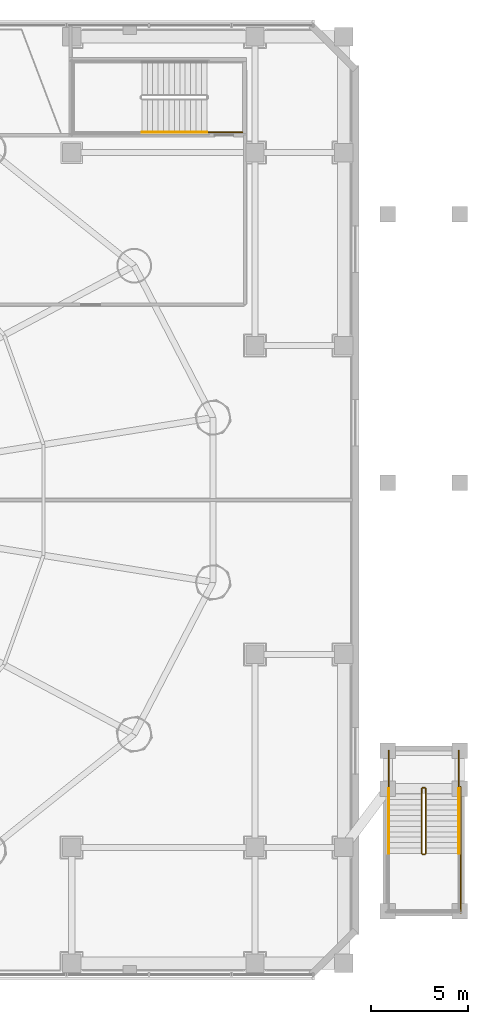
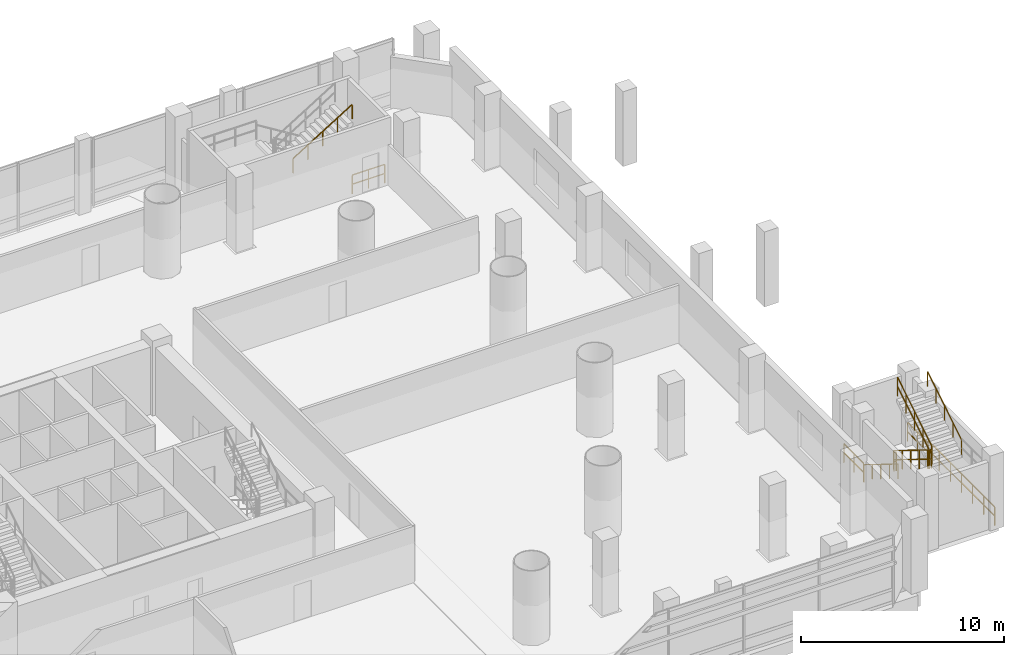
# One storey, part 35 of 36: 11 railings.
"""IFC4 building model written with IfcOpenShell, lengths in metres."""

from ifc_helpers import new_model, si_unit, direction, frame, origin, origin_2d, place, context, subcontext, project, spatial, rectangle, extrude, material, type_object, element, save


model = new_model("IFC4")

# Units and contexts
model_context = context("Model", 3, precision=1e-05, world=origin(), true_north=direction((-0.2419218956, 0.970295726276)))
body_context = subcontext(model_context, "Body", "Model", "MODEL_VIEW")
ifc_project = project(units=[si_unit("LENGTHUNIT", "METRE"), si_unit("AREAUNIT", "SQUARE_METRE"), si_unit("VOLUMEUNIT", "CUBIC_METRE"), si_unit("PLANEANGLEUNIT", "RADIAN"), si_unit("MASSUNIT", "GRAM", prefix="KILO")], contexts=[model_context])

# Site, building, storey
site_placement = place(None, origin())
site = spatial("IfcSite", under=ifc_project, at=site_placement, CompositionType="ELEMENT")
building_placement = place(site_placement, origin())
building = spatial("IfcBuilding", under=site, at=building_placement, Name="Cobrevalo Terracotta Tower", CompositionType="ELEMENT")
storey_placement = place(building_placement, frame((0.0, 0.0, 14.39990234375)))
storey = spatial("IfcBuildingStorey", under=building, at=storey_placement, Name="L03", CompositionType="ELEMENT", Elevation=14.39990234375)

# Railings
ifc_material_1 = material(Name="Brushed stainless steel", Category="steel")
railing_type_1 = type_object("IfcRailingType", Name="Stainless Steel Stair Handrail 900", PredefinedType="HANDRAIL", material=ifc_material_1)
railing_1_placement = place(storey_placement, frame((61.139892578125, 45.85009765625, 2.423095703125)))
element("IfcRailing", 1, at=railing_1_placement, inside=storey, type_object=railing_type_1, Name="L03 ST-P2 stair handrail 2", PredefinedType="HANDRAIL", context=body_context, shape_type="SweptSolid", body=[
    extrude(rectangle(XDim=0.048095703125, YDim=0.048095703125, at=origin_2d()), frame((0.0, 0.0, 0.8759765625), z_axis=(0.850623216509, 0.0, 0.525775754039), x_axis=(0.0, 1.0, 0.0)), (0.0, 0.0, 1.0), 3.9501953125),
    extrude(rectangle(XDim=0.0419921875, YDim=0.0419921875, at=origin_2d()), origin(), (0.0, 0.0, 1.0), 0.851806640625),
    extrude(rectangle(XDim=0.0419921875, YDim=0.0419921875, at=origin_2d()), frame((0.840087890625, 0.0, 0.519287109375)), (0.0, 0.0, 1.0), 0.851806640625),
    extrude(rectangle(XDim=0.0419921875, YDim=0.0419921875, at=origin_2d()), frame((1.68017578125, 0.0, 1.03857421875)), (0.0, 0.0, 1.0), 0.851806640625),
    extrude(rectangle(XDim=0.0419921875, YDim=0.0419921875, at=origin_2d()), frame((2.52001953125, 0.0, 1.5576171875)), (0.0, 0.0, 1.0), 0.851806640625),
    extrude(rectangle(XDim=0.0419921875, YDim=0.0419921875, at=origin_2d()), frame((3.360107421875, 0.0, 2.076904296875)), (0.0, 0.0, 1.0), 0.851806640625),
])
railing_2_placement = place(storey_placement, frame((73.929931640625, 11.85009765625, 0.173095703125)))
element("IfcRailing", 2, at=railing_2_placement, inside=storey, type_object=railing_type_1, Name="L03 ST-EXT-E stair handrail 1", PredefinedType="HANDRAIL", context=body_context, shape_type="SweptSolid", body=[
    extrude(rectangle(XDim=0.048095703125, YDim=0.048095703125, at=origin_2d()), frame((0.0, 0.0, 0.8759765625), z_axis=(0.0, -0.850623216509, 0.525775754039), x_axis=(1.0, 0.0, 0.0)), (0.0, 0.0, 1.0), 3.9501953125),
    extrude(rectangle(XDim=0.0419921875, YDim=0.0419921875, at=origin_2d()), origin(), (0.0, 0.0, 1.0), 0.851806640625),
    extrude(rectangle(XDim=0.0419921875, YDim=0.0419921875, at=origin_2d()), frame((0.0, -0.840087890625, 0.519287109375)), (0.0, 0.0, 1.0), 0.851806640625),
    extrude(rectangle(XDim=0.0419921875, YDim=0.0419921875, at=origin_2d()), frame((0.0, -1.68017578125, 1.03857421875)), (0.0, 0.0, 1.0), 0.851806640625),
    extrude(rectangle(XDim=0.0419921875, YDim=0.0419921875, at=origin_2d()), frame((0.0, -2.52001953125, 1.5576171875)), (0.0, 0.0, 1.0), 0.851806640625),
    extrude(rectangle(XDim=0.0419921875, YDim=0.0419921875, at=origin_2d()), frame((0.0, -3.360107421875, 2.076904296875)), (0.0, 0.0, 1.0), 0.851806640625),
])
railing_3_placement = place(storey_placement, frame((77.550048828125, 8.489990234375, 2.423095703125)))
element("IfcRailing", 3, at=railing_3_placement, inside=storey, type_object=railing_type_1, Name="L03 ST-EXT-E stair handrail 2", PredefinedType="HANDRAIL", context=body_context, shape_type="SweptSolid", body=[
    extrude(rectangle(XDim=0.048095703125, YDim=0.048095703125, at=origin_2d()), frame((0.0, 0.0, 0.8759765625), z_axis=(0.0, 0.850623216509, 0.525775754039), x_axis=(-1.0, 0.0, 0.0)), (0.0, 0.0, 1.0), 3.9501953125),
    extrude(rectangle(XDim=0.0419921875, YDim=0.0419921875, at=origin_2d()), origin(), (0.0, 0.0, 1.0), 0.851806640625),
    extrude(rectangle(XDim=0.0419921875, YDim=0.0419921875, at=origin_2d()), frame((0.0, 0.840087890625, 0.519287109375)), (0.0, 0.0, 1.0), 0.851806640625),
    extrude(rectangle(XDim=0.0419921875, YDim=0.0419921875, at=origin_2d()), frame((0.0, 1.68017578125, 1.03857421875)), (0.0, 0.0, 1.0), 0.851806640625),
    extrude(rectangle(XDim=0.0419921875, YDim=0.0419921875, at=origin_2d()), frame((0.0, 2.52001953125, 1.5576171875)), (0.0, 0.0, 1.0), 0.851806640625),
    extrude(rectangle(XDim=0.0419921875, YDim=0.0419921875, at=origin_2d()), frame((0.0, 3.360107421875, 2.076904296875)), (0.0, 0.0, 1.0), 0.851806640625),
])
ifc_material_2 = material(Name="Painted galvanized steel", Category="steel")
railing_type_2 = type_object("IfcRailingType", Name="Stair Well Guard Balustrade 1150", PredefinedType="GUARDRAIL", material=ifc_material_2)
railing_4_placement = place(storey_placement, frame((66.35009765625, 45.85009765625, 0.0)))
element("IfcRailing", 4, at=railing_4_placement, inside=storey, type_object=railing_type_2, Name="L03 ST-P2 stair guard 9", PredefinedType="GUARDRAIL", context=body_context, shape_type="SweptSolid", body=[
    extrude(rectangle(XDim=0.048095703125, YDim=0.048095703125, at=origin_2d()), frame((0.0, 0.0, 1.1259765625), z_axis=(-1.0, 0.0, 0.0), x_axis=(0.0, -1.0, 0.0)), (0.0, 0.0, 1.0), 1.85009765625),
    extrude(rectangle(XDim=0.048095703125, YDim=0.048095703125, at=origin_2d()), frame((0.0, 0.0, 0.574951171875), z_axis=(-1.0, 0.0, 0.0), x_axis=(0.0, -1.0, 0.0)), (0.0, 0.0, 1.0), 1.85009765625),
    extrude(rectangle(XDim=0.0419921875, YDim=0.0419921875, at=origin_2d()), origin(), (0.0, 0.0, 1.0), 1.101806640625),
    extrude(rectangle(XDim=0.0419921875, YDim=0.0419921875, at=origin_2d()), frame((-0.925048828125, 0.0, 0.0)), (0.0, 0.0, 1.0), 1.101806640625),
    extrude(rectangle(XDim=0.0419921875, YDim=0.0419921875, at=origin_2d()), frame((-1.85009765625, 0.0, 0.0)), (0.0, 0.0, 1.0), 1.101806640625),
])
railing_5_placement = place(storey_placement, frame((75.6298828125, 11.85009765625, 0.173095703125)))
element("IfcRailing", 5, at=railing_5_placement, inside=storey, type_object=railing_type_2, Name="L03 ST-EXT-E stair guard 1", PredefinedType="GUARDRAIL", context=body_context, shape_type="SweptSolid", body=[
    extrude(rectangle(XDim=0.048095703125, YDim=0.048095703125, at=origin_2d()), frame((0.0, 0.0, 1.1259765625), z_axis=(0.0, -0.850623216509, 0.525775754039), x_axis=(1.0, 0.0, 0.0)), (0.0, 0.0, 1.0), 3.9501953125),
    extrude(rectangle(XDim=0.048095703125, YDim=0.048095703125, at=origin_2d()), frame((0.0, 0.0, 0.574951171875), z_axis=(0.0, -0.850623216509, 0.525775754039), x_axis=(1.0, 0.0, 0.0)), (0.0, 0.0, 1.0), 3.9501953125),
    extrude(rectangle(XDim=0.0419921875, YDim=0.0419921875, at=origin_2d()), origin(), (0.0, 0.0, 1.0), 1.101806640625),
    extrude(rectangle(XDim=0.0419921875, YDim=0.0419921875, at=origin_2d()), frame((0.0, -0.840087890625, 0.519287109375)), (0.0, 0.0, 1.0), 1.101806640625),
    extrude(rectangle(XDim=0.0419921875, YDim=0.0419921875, at=origin_2d()), frame((0.0, -1.68017578125, 1.03857421875)), (0.0, 0.0, 1.0), 1.101806640625),
    extrude(rectangle(XDim=0.0419921875, YDim=0.0419921875, at=origin_2d()), frame((0.0, -2.52001953125, 1.5576171875)), (0.0, 0.0, 1.0), 1.101806640625),
    extrude(rectangle(XDim=0.0419921875, YDim=0.0419921875, at=origin_2d()), frame((0.0, -3.360107421875, 2.076904296875)), (0.0, 0.0, 1.0), 1.101806640625),
])
railing_6_placement = place(storey_placement, frame((75.679931640625, 8.43994140625, 2.25)))
element("IfcRailing", 6, at=railing_6_placement, inside=storey, type_object=railing_type_2, Name="L03 ST-EXT-E stair guard 2", PredefinedType="GUARDRAIL", context=body_context, shape_type="SweptSolid", body=[
    extrude(rectangle(XDim=0.048095703125, YDim=0.048095703125, at=origin_2d()), frame((0.0, 0.0, 1.1259765625), z_axis=(1.0, 0.0, 0.0), x_axis=(0.0, 1.0, 0.0)), (0.0, 0.0, 1.0), 0.1201171875),
    extrude(rectangle(XDim=0.048095703125, YDim=0.048095703125, at=origin_2d()), frame((0.0, 0.0, 0.574951171875), z_axis=(1.0, 0.0, 0.0), x_axis=(0.0, 1.0, 0.0)), (0.0, 0.0, 1.0), 0.1201171875),
    extrude(rectangle(XDim=0.0419921875, YDim=0.0419921875, at=origin_2d()), origin(), (0.0, 0.0, 1.0), 1.101806640625),
    extrude(rectangle(XDim=0.0419921875, YDim=0.0419921875, at=origin_2d()), frame((0.1201171875, 0.0, 0.0)), (0.0, 0.0, 1.0), 1.101806640625),
])
railing_7_placement = place(storey_placement, frame((75.85009765625, 8.489990234375, 2.423095703125)))
element("IfcRailing", 7, at=railing_7_placement, inside=storey, type_object=railing_type_2, Name="L03 ST-EXT-E stair guard 6", PredefinedType="GUARDRAIL", context=body_context, shape_type="SweptSolid", body=[
    extrude(rectangle(XDim=0.048095703125, YDim=0.048095703125, at=origin_2d()), frame((0.0, 0.0, 1.1259765625), z_axis=(0.0, 0.850623216509, 0.525775754039), x_axis=(-1.0, 0.0, 0.0)), (0.0, 0.0, 1.0), 3.9501953125),
    extrude(rectangle(XDim=0.048095703125, YDim=0.048095703125, at=origin_2d()), frame((0.0, 0.0, 0.574951171875), z_axis=(0.0, 0.850623216509, 0.525775754039), x_axis=(-1.0, 0.0, 0.0)), (0.0, 0.0, 1.0), 3.9501953125),
    extrude(rectangle(XDim=0.0419921875, YDim=0.0419921875, at=origin_2d()), origin(), (0.0, 0.0, 1.0), 1.101806640625),
    extrude(rectangle(XDim=0.0419921875, YDim=0.0419921875, at=origin_2d()), frame((0.0, 0.840087890625, 0.519287109375)), (0.0, 0.0, 1.0), 1.101806640625),
    extrude(rectangle(XDim=0.0419921875, YDim=0.0419921875, at=origin_2d()), frame((0.0, 1.68017578125, 1.03857421875)), (0.0, 0.0, 1.0), 1.101806640625),
    extrude(rectangle(XDim=0.0419921875, YDim=0.0419921875, at=origin_2d()), frame((0.0, 2.52001953125, 1.5576171875)), (0.0, 0.0, 1.0), 1.101806640625),
    extrude(rectangle(XDim=0.0419921875, YDim=0.0419921875, at=origin_2d()), frame((0.0, 3.360107421875, 2.076904296875)), (0.0, 0.0, 1.0), 1.101806640625),
])
railing_8_placement = place(storey_placement, frame((75.679931640625, 11.89990234375, 0.0)))
element("IfcRailing", 8, at=railing_8_placement, inside=storey, type_object=railing_type_2, Name="L03 ST-EXT-E stair guard 7", PredefinedType="GUARDRAIL", context=body_context, shape_type="SweptSolid", body=[
    extrude(rectangle(XDim=0.048095703125, YDim=0.048095703125, at=origin_2d()), frame((0.0, 0.0, 1.1259765625), z_axis=(1.0, 0.0, 0.0), x_axis=(0.0, 1.0, 0.0)), (0.0, 0.0, 1.0), 0.1201171875),
    extrude(rectangle(XDim=0.048095703125, YDim=0.048095703125, at=origin_2d()), frame((0.0, 0.0, 0.574951171875), z_axis=(1.0, 0.0, 0.0), x_axis=(0.0, 1.0, 0.0)), (0.0, 0.0, 1.0), 0.1201171875),
    extrude(rectangle(XDim=0.0419921875, YDim=0.0419921875, at=origin_2d()), origin(), (0.0, 0.0, 1.0), 1.101806640625),
    extrude(rectangle(XDim=0.0419921875, YDim=0.0419921875, at=origin_2d()), frame((0.1201171875, 0.0, 0.0)), (0.0, 0.0, 1.0), 1.101806640625),
])
for number, where, name in (
    (9, (73.929931640625, 13.800048828125, 0.0), "L03 ST-EXT-E stair guard 8"),
    (10, (77.550048828125, 13.800048828125, 0.0), "L03 ST-EXT-E stair guard 9"),
):
    element("IfcRailing", number, at=place(storey_placement, frame(where)), inside=storey, type_object=railing_type_2, Name=name, PredefinedType="GUARDRAIL", context=body_context, shape_type="SweptSolid", body=[
        extrude(rectangle(XDim=0.048095703125, YDim=0.048095703125, at=origin_2d()), frame((0.0, 0.0, 1.1259765625), z_axis=(0.0, -1.0, 0.0), x_axis=(1.0, 0.0, 0.0)), (0.0, 0.0, 1.0), 1.949951171875),
        extrude(rectangle(XDim=0.048095703125, YDim=0.048095703125, at=origin_2d()), frame((0.0, 0.0, 0.574951171875), z_axis=(0.0, -1.0, 0.0), x_axis=(1.0, 0.0, 0.0)), (0.0, 0.0, 1.0), 1.949951171875),
        extrude(rectangle(XDim=0.0419921875, YDim=0.0419921875, at=origin_2d()), origin(), (0.0, 0.0, 1.0), 1.101806640625),
        extrude(rectangle(XDim=0.0419921875, YDim=0.0419921875, at=origin_2d()), frame((0.0, -0.97509765625, 0.0)), (0.0, 0.0, 1.0), 1.101806640625),
        extrude(rectangle(XDim=0.0419921875, YDim=0.0419921875, at=origin_2d()), frame((0.0, -1.949951171875, 0.0)), (0.0, 0.0, 1.0), 1.101806640625),
    ])
railing_9_placement = place(storey_placement, frame((77.64990234375, 11.949951171875, 0.0)))
element("IfcRailing", 11, at=railing_9_placement, inside=storey, type_object=railing_type_2, Name="L03 ST-EXT-E stair guard 11", PredefinedType="GUARDRAIL", context=body_context, shape_type="SweptSolid", body=[
    extrude(rectangle(XDim=0.048095703125, YDim=0.048095703125, at=origin_2d()), frame((0.0, 0.0, 1.1259765625), z_axis=(0.0, -1.0, 0.0), x_axis=(1.0, 0.0, 0.0)), (0.0, 0.0, 1.0), 6.550048828125),
    extrude(rectangle(XDim=0.048095703125, YDim=0.048095703125, at=origin_2d()), frame((0.0, 0.0, 0.574951171875), z_axis=(0.0, -1.0, 0.0), x_axis=(1.0, 0.0, 0.0)), (0.0, 0.0, 1.0), 6.550048828125),
    extrude(rectangle(XDim=0.0419921875, YDim=0.0419921875, at=origin_2d()), origin(), (0.0, 0.0, 1.0), 1.101806640625),
    extrude(rectangle(XDim=0.0419921875, YDim=0.0419921875, at=origin_2d()), frame((0.0, -1.091796875, 0.0)), (0.0, 0.0, 1.0), 1.101806640625),
    extrude(rectangle(XDim=0.0419921875, YDim=0.0419921875, at=origin_2d()), frame((0.0, -2.183349609375, 0.0)), (0.0, 0.0, 1.0), 1.101806640625),
    extrude(rectangle(XDim=0.0419921875, YDim=0.0419921875, at=origin_2d()), frame((0.0, -3.27490234375, 0.0)), (0.0, 0.0, 1.0), 1.101806640625),
    extrude(rectangle(XDim=0.0419921875, YDim=0.0419921875, at=origin_2d()), frame((0.0, -4.36669921875, 0.0)), (0.0, 0.0, 1.0), 1.101806640625),
    extrude(rectangle(XDim=0.0419921875, YDim=0.0419921875, at=origin_2d()), frame((0.0, -5.45849609375, 0.0)), (0.0, 0.0, 1.0), 1.101806640625),
    extrude(rectangle(XDim=0.0419921875, YDim=0.0419921875, at=origin_2d()), frame((0.0, -6.550048828125, 0.0)), (0.0, 0.0, 1.0), 1.101806640625),
])

save(model, "model.ifc")
